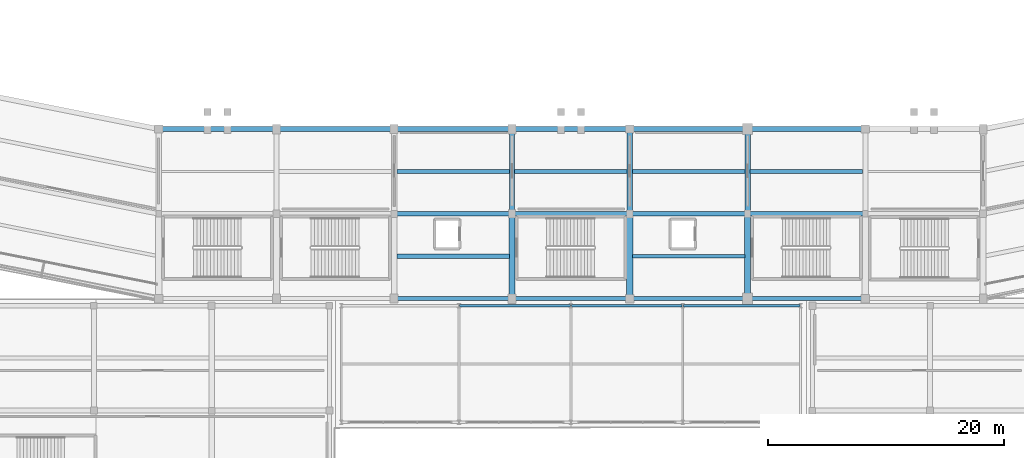
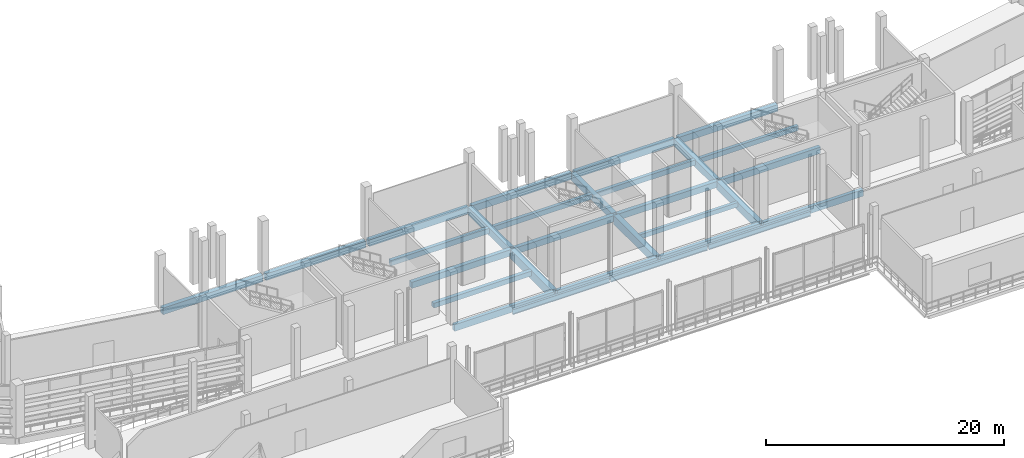
# One storey, part 21 of 111: 29 beams.
"""IFC4 building model written with IfcOpenShell, lengths in metres."""

from ifc_helpers import new_model, si_unit, direction, frame, origin, origin_2d, place, context, subcontext, project, spatial, rectangle, i_section, extrude, material, material_profile, profile_set, type_object, element, save


model = new_model("IFC4")

# Units and contexts
model_context = context("Model", 3, precision=1e-05, world=origin(), true_north=direction((0.0, 1.0)))
body_context = subcontext(model_context, "Body", "Model", "MODEL_VIEW")
ifc_project = project(units=[si_unit("LENGTHUNIT", "METRE"), si_unit("AREAUNIT", "SQUARE_METRE"), si_unit("VOLUMEUNIT", "CUBIC_METRE"), si_unit("PLANEANGLEUNIT", "RADIAN"), si_unit("MASSUNIT", "GRAM", prefix="KILO")], contexts=[model_context])

# Site, building, storey
site_placement = place(None, origin())
site = spatial("IfcSite", under=ifc_project, at=site_placement, CompositionType="ELEMENT")
building_placement = place(site_placement, origin())
building = spatial("IfcBuilding", under=site, at=building_placement, Name="Candeia Ridge Stadium", CompositionType="ELEMENT")
storey_placement = place(building_placement, frame((0.0, 0.0, 16.199951171875)))
storey = spatial("IfcBuildingStorey", under=building, at=storey_placement, Name="L03", CompositionType="ELEMENT", Elevation=16.199951171875)

# Beams
ifc_material_1 = material(Name="Concrete C45/55", Category="concrete")
ifc_material_profile_1 = material_profile(ifc_material_1, rectangle(XDim=0.449951171875, YDim=0.75, at=origin_2d()), Name="RC450x750", Category="concrete")
ifc_profile_set_1 = profile_set([ifc_material_profile_1], Name="Concrete C45/55")
beam_type_1 = type_object("IfcBeamType", Name="Bowl Radial Girder RC450x750", PredefinedType="BEAM", material=ifc_profile_set_1)
beam_1_placement = place(storey_placement, frame((111.0, 33.239990234375, -0.625), z_axis=(0.0, -1.0, 0.0), x_axis=(1.0, 0.0, 0.0)))
element("IfcBeam", 1, at=beam_1_placement, inside=storey, type_object=beam_type_1, Name="Bowl radial girder BM-L03-0525", PredefinedType="BEAM", context=body_context, shape_type="SweptSolid", body=[
    extrude(rectangle(XDim=0.449951171875, YDim=0.75, at=origin_2d()), origin(), (0.0, 0.0, 1.0), 6.8798828125),
])
ifc_material_2 = material(Name="Concrete C40/50", Category="concrete")
ifc_material_profile_2 = material_profile(ifc_material_2, rectangle(XDim=0.280029296875, YDim=0.4599609375, at=origin_2d()), Name="RC280x460", Category="concrete")
ifc_profile_set_2 = profile_set([ifc_material_profile_2], Name="Concrete C40/50")
beam_type_2 = type_object("IfcBeamType", Name="Floor Joist RC280x460", PredefinedType="JOIST", material=ifc_profile_set_2)
beam_2_placement = place(storey_placement, frame((111.221923828125, 22.60009765625, -0.47998046875), z_axis=(1.0, 0.0, 0.0), x_axis=(0.0, 1.0, 0.0)))
element("IfcBeam", 2, at=beam_2_placement, inside=storey, type_object=beam_type_2, Name="Concourse secondary joist BM-L03-0659", PredefinedType="JOIST", context=body_context, shape_type="SweptSolid", body=[
    extrude(rectangle(XDim=0.280029296875, YDim=0.4599609375, at=origin_2d()), origin(), (0.0, 0.0, 1.0), 9.55615234375),
])
ifc_material_profile_3 = material_profile(ifc_material_2, rectangle(XDim=0.31005859375, YDim=0.489990234375, at=origin_2d()), Name="RC310x490", Category="concrete")
ifc_profile_set_3 = profile_set([ifc_material_profile_3], Name="Concrete C40/50")
beam_type_3 = type_object("IfcBeamType", Name="Floor Joist RC310x490", PredefinedType="JOIST", material=ifc_profile_set_3)
beam_3_placement = place(storey_placement, frame((121.221923828125, 29.800048828125, -0.494873046875), z_axis=(1.0, 0.0, 0.0), x_axis=(0.0, 1.0, 0.0)))
element("IfcBeam", 3, at=beam_3_placement, inside=storey, type_object=beam_type_3, Name="Concourse secondary joist BM-L03-0663", PredefinedType="JOIST", context=body_context, shape_type="SweptSolid", body=[
    extrude(rectangle(XDim=0.31005859375, YDim=0.489990234375, at=origin_2d()), origin(), (0.0, 0.0, 1.0), 9.55615234375),
])
ifc_material_profile_4 = material_profile(ifc_material_2, rectangle(XDim=0.320068359375, YDim=0.52001953125, at=origin_2d()), Name="RC320x520", Category="concrete")
ifc_profile_set_4 = profile_set([ifc_material_profile_4], Name="Concrete C40/50")
beam_type_4 = type_object("IfcBeamType", Name="Floor Joist RC320x520", PredefinedType="JOIST", material=ifc_profile_set_4)
beam_4_placement = place(storey_placement, frame((101.221923828125, 29.800048828125, -0.510009765625), z_axis=(1.0, 0.0, 0.0), x_axis=(0.0, 1.0, 0.0)))
element("IfcBeam", 4, at=beam_4_placement, inside=storey, type_object=beam_type_4, Name="Concourse secondary joist BM-L03-0654", PredefinedType="JOIST", context=body_context, shape_type="SweptSolid", body=[
    extrude(rectangle(XDim=0.320068359375, YDim=0.52001953125, at=origin_2d()), origin(), (0.0, 0.0, 1.0), 9.55615234375),
])
ifc_material_profile_5 = material_profile(ifc_material_2, rectangle(XDim=0.330078125, YDim=0.530029296875, at=origin_2d()), Name="RC330x530", Category="concrete")
ifc_profile_set_5 = profile_set([ifc_material_profile_5], Name="Concrete C40/50")
beam_type_5 = type_object("IfcBeamType", Name="Floor Joist RC330x530", PredefinedType="JOIST", material=ifc_profile_set_5)
beam_5_placement = place(storey_placement, frame((111.221923828125, 29.800048828125, -0.514892578125), z_axis=(1.0, 0.0, 0.0), x_axis=(0.0, 1.0, 0.0)))
element("IfcBeam", 5, at=beam_5_placement, inside=storey, type_object=beam_type_5, Name="Concourse secondary joist BM-L03-0658", PredefinedType="JOIST", context=body_context, shape_type="SweptSolid", body=[
    extrude(rectangle(XDim=0.330078125, YDim=0.530029296875, at=origin_2d()), origin(), (0.0, 0.0, 1.0), 9.55615234375),
])
ifc_material_profile_6 = material_profile(ifc_material_2, rectangle(XDim=0.340087890625, YDim=0.5400390625, at=origin_2d()), Name="RC340x540", Category="concrete")
ifc_profile_set_6 = profile_set([ifc_material_profile_6], Name="Concrete C40/50")
beam_type_6 = type_object("IfcBeamType", Name="Floor Joist RC340x540", PredefinedType="JOIST", material=ifc_profile_set_6)
beam_6_placement = place(storey_placement, frame((91.221923828125, 29.800048828125, -0.52001953125), z_axis=(1.0, 0.0, 0.0), x_axis=(0.0, 1.0, 0.0)))
element("IfcBeam", 6, at=beam_6_placement, inside=storey, type_object=beam_type_6, Name="Concourse secondary joist BM-L03-0649", PredefinedType="JOIST", context=body_context, shape_type="SweptSolid", body=[
    extrude(rectangle(XDim=0.340087890625, YDim=0.5400390625, at=origin_2d()), origin(), (0.0, 0.0, 1.0), 9.55615234375),
])
ifc_material_profile_7 = material_profile(ifc_material_2, rectangle(XDim=0.35009765625, YDim=0.5, at=origin_2d()), Name="RC350x500", Category="concrete")
ifc_profile_set_7 = profile_set([ifc_material_profile_7], Name="Concrete C40/50")
beam_type_7 = type_object("IfcBeamType", Name="Floor Joist RC350x500", PredefinedType="JOIST", material=ifc_profile_set_7)
beam_7_placement = place(storey_placement, frame((91.221923828125, 22.60009765625, -0.5), z_axis=(1.0, 0.0, 0.0), x_axis=(0.0, 1.0, 0.0)))
element("IfcBeam", 7, at=beam_7_placement, inside=storey, type_object=beam_type_7, Name="Concourse secondary joist BM-L03-0650", PredefinedType="JOIST", context=body_context, shape_type="SweptSolid", body=[
    extrude(rectangle(XDim=0.35009765625, YDim=0.5, at=origin_2d()), origin(), (0.0, 0.0, 1.0), 9.55615234375),
])
ifc_material_profile_8 = material_profile(ifc_material_2, rectangle(XDim=0.389892578125, YDim=0.639892578125, at=origin_2d()), Name="RC390x640", Category="concrete")
ifc_profile_set_8 = profile_set([ifc_material_profile_8], Name="Concrete C40/50")
beam_type_8 = type_object("IfcBeamType", Name="Frame Girder RC390x640", PredefinedType="BEAM", material=ifc_profile_set_8)
for number, where, z_axis, x_axis, name in (
    (8, (91.159912109375, 26.199951171875, -0.570068359375), (1.0, 0.0, 0.0), (0.0, 1.0, 0.0), "Concourse spine girder BM-L03-0647"),
    (9, (101.159912109375, 26.199951171875, -0.570068359375), (1.0, 0.0, 0.0), (0.0, 1.0, 0.0), "Concourse spine girder BM-L03-0652"),
    (10, (111.159912109375, 26.199951171875, -0.570068359375), (1.0, 0.0, 0.0), (0.0, 1.0, 0.0), "Concourse spine girder BM-L03-0656"),
    (11, (121.159912109375, 26.199951171875, -0.570068359375), (1.0, 0.0, 0.0), (0.0, 1.0, 0.0), "Concourse spine girder BM-L03-0661"),
):
    element("IfcBeam", number, at=place(storey_placement, frame(where, z_axis=z_axis, x_axis=x_axis)), inside=storey, type_object=beam_type_8, Name=name, PredefinedType="BEAM", context=body_context, shape_type="SweptSolid", body=[
        extrude(rectangle(XDim=0.389892578125, YDim=0.639892578125, at=origin_2d()), origin(), (0.0, 0.0, 1.0), 9.68017578125),
    ])
ifc_material_profile_9 = material_profile(ifc_material_2, rectangle(XDim=0.419921875, YDim=0.679931640625, at=origin_2d()), Name="RC420x680", Category="concrete")
ifc_profile_set_9 = profile_set([ifc_material_profile_9], Name="Concrete C40/50")
beam_type_9 = type_object("IfcBeamType", Name="Frame Girder RC420x680", PredefinedType="BEAM", material=ifc_profile_set_9)
for number, where, z_axis, x_axis, name in (
    (12, (71.159912109375, 33.39990234375, -0.58984375), (1.0, 0.0, 0.0), (0.0, 1.0, 0.0), "Bowl inner ring girder BM-L03-0638"),
    (13, (81.159912109375, 33.39990234375, -0.58984375), (1.0, 0.0, 0.0), (0.0, 1.0, 0.0), "Bowl inner ring girder BM-L03-0642"),
    (14, (91.159912109375, 33.39990234375, -0.58984375), (1.0, 0.0, 0.0), (0.0, 1.0, 0.0), "Bowl inner ring girder BM-L03-0646"),
    (15, (101.159912109375, 33.39990234375, -0.58984375), (1.0, 0.0, 0.0), (0.0, 1.0, 0.0), "Bowl inner ring girder BM-L03-0651"),
    (16, (111.159912109375, 33.39990234375, -0.58984375), (1.0, 0.0, 0.0), (0.0, 1.0, 0.0), "Bowl inner ring girder BM-L03-0655"),
    (17, (121.159912109375, 33.39990234375, -0.58984375), (1.0, 0.0, 0.0), (0.0, 1.0, 0.0), "Bowl inner ring girder BM-L03-0660"),
):
    element("IfcBeam", number, at=place(storey_placement, frame(where, z_axis=z_axis, x_axis=x_axis)), inside=storey, type_object=beam_type_9, Name=name, PredefinedType="BEAM", context=body_context, shape_type="SweptSolid", body=[
        extrude(rectangle(XDim=0.419921875, YDim=0.679931640625, at=origin_2d()), origin(), (0.0, 0.0, 1.0), 9.68017578125),
    ])
ifc_material_profile_10 = material_profile(ifc_material_2, rectangle(XDim=0.4599609375, YDim=0.780029296875, at=origin_2d()), Name="RC460x780", Category="concrete")
ifc_profile_set_10 = profile_set([ifc_material_profile_10], Name="Concrete C40/50")
beam_type_10 = type_object("IfcBeamType", Name="Frame Girder RC460x780", PredefinedType="BEAM", material=ifc_profile_set_10)
beam_8_placement = place(storey_placement, frame((101.0, 33.239990234375, -0.639892578125), z_axis=(0.0, -1.0, 0.0), x_axis=(1.0, 0.0, 0.0)))
element("IfcBeam", 18, at=beam_8_placement, inside=storey, type_object=beam_type_10, Name="Bowl radial girder BM-L03-0523", PredefinedType="BEAM", context=body_context, shape_type="SweptSolid", body=[
    extrude(rectangle(XDim=0.4599609375, YDim=0.780029296875, at=origin_2d()), origin(), (0.0, 0.0, 1.0), 6.8798828125),
])
ifc_material_profile_11 = material_profile(ifc_material_2, rectangle(XDim=0.469970703125, YDim=0.760009765625, at=origin_2d()), Name="RC470x760", Category="concrete")
ifc_profile_set_11 = profile_set([ifc_material_profile_11], Name="Concrete C40/50")
beam_type_11 = type_object("IfcBeamType", Name="Frame Girder RC470x760", PredefinedType="BEAM", material=ifc_profile_set_11)
beam_9_placement = place(storey_placement, frame((121.0, 33.239990234375, -0.6298828125), z_axis=(0.0, -1.0, 0.0), x_axis=(1.0, 0.0, 0.0)))
element("IfcBeam", 19, at=beam_9_placement, inside=storey, type_object=beam_type_11, Name="Bowl radial girder BM-L03-0527", PredefinedType="BEAM", context=body_context, shape_type="SweptSolid", body=[
    extrude(rectangle(XDim=0.469970703125, YDim=0.760009765625, at=origin_2d()), origin(), (0.0, 0.0, 1.0), 6.8798828125),
])
ifc_material_profile_12 = material_profile(ifc_material_1, rectangle(XDim=0.5, YDim=0.85009765625, at=origin_2d()), Name="RC500x850", Category="concrete")
ifc_profile_set_12 = profile_set([ifc_material_profile_12], Name="Concrete C45/55")
beam_type_12 = type_object("IfcBeamType", Name="Frame Girder RC500x850", PredefinedType="BEAM", material=ifc_profile_set_12)
beam_10_placement = place(storey_placement, frame((121.0, 26.0400390625, -0.675048828125), z_axis=(0.0, -1.0, 0.0), x_axis=(1.0, 0.0, 0.0)))
element("IfcBeam", 20, at=beam_10_placement, inside=storey, type_object=beam_type_12, Name="Bowl radial girder BM-L03-0528", PredefinedType="BEAM", context=body_context, shape_type="SweptSolid", body=[
    extrude(rectangle(XDim=0.5, YDim=0.85009765625, at=origin_2d()), origin(), (0.0, 0.0, 1.0), 6.880126953125),
])
ifc_material_profile_13 = material_profile(ifc_material_1, rectangle(XDim=0.52001953125, YDim=0.8798828125, at=origin_2d()), Name="RC520x880", Category="concrete")
ifc_profile_set_13 = profile_set([ifc_material_profile_13], Name="Concrete C45/55")
beam_type_13 = type_object("IfcBeamType", Name="Frame Girder RC520x880", PredefinedType="BEAM", material=ifc_profile_set_13)
beam_11_placement = place(storey_placement, frame((111.0, 26.0400390625, -0.68994140625), z_axis=(0.0, -1.0, 0.0), x_axis=(1.0, 0.0, 0.0)))
element("IfcBeam", 21, at=beam_11_placement, inside=storey, type_object=beam_type_13, Name="Bowl radial girder BM-L03-0526", PredefinedType="BEAM", context=body_context, shape_type="SweptSolid", body=[
    extrude(rectangle(XDim=0.52001953125, YDim=0.8798828125, at=origin_2d()), origin(), (0.0, 0.0, 1.0), 6.880126953125),
])
ifc_material_profile_14 = material_profile(ifc_material_1, rectangle(XDim=0.550048828125, YDim=0.919921875, at=origin_2d()), Name="RC550x920", Category="concrete")
ifc_profile_set_14 = profile_set([ifc_material_profile_14], Name="Concrete C45/55")
beam_type_14 = type_object("IfcBeamType", Name="Frame Girder RC550x920", PredefinedType="BEAM", material=ifc_profile_set_14)
beam_12_placement = place(storey_placement, frame((101.0, 26.0400390625, -0.7099609375), z_axis=(0.0, -1.0, 0.0), x_axis=(1.0, 0.0, 0.0)))
element("IfcBeam", 22, at=beam_12_placement, inside=storey, type_object=beam_type_14, Name="Bowl radial girder BM-L03-0524", PredefinedType="BEAM", context=body_context, shape_type="SweptSolid", body=[
    extrude(rectangle(XDim=0.550048828125, YDim=0.919921875, at=origin_2d()), origin(), (0.0, 0.0, 1.0), 6.880126953125),
])
ifc_material_3 = material(Name="Steel ASTM A572 Grade 50", Category="steel")
ifc_material_profile_15 = material_profile(ifc_material_3, i_section(OverallWidth=0.208984375, OverallDepth=0.532958984375, WebThickness=0.01025390625, FlangeThickness=0.015625, FilletRadius=0.013916015625, at=origin_2d()), Name="W530x92", Category="steel")
ifc_profile_set_15 = profile_set([ifc_material_profile_15], Name="Steel ASTM A572 Grade 50")
beam_type_15 = type_object("IfcBeamType", Name="Gate Portal Girder W530x92", PredefinedType="BEAM", material=ifc_profile_set_15)
for number, where, z_axis, x_axis, name in (
    (23, (96.550048828125, 18.39990234375, -0.516357421875), (1.0, 0.0, 0.0), (0.0, 1.0, 0.0), "Structural girder BM-L03-2368"),
    (24, (106.050048828125, 18.39990234375, -0.516357421875), (1.0, 0.0, 0.0), (0.0, 1.0, 0.0), "Structural girder BM-L03-2371"),
):
    element("IfcBeam", number, at=place(storey_placement, frame(where, z_axis=z_axis, x_axis=x_axis)), inside=storey, type_object=beam_type_15, Name=name, PredefinedType="BEAM", context=body_context, shape_type="SweptSolid", body=[
        extrude(i_section(OverallWidth=0.208984375, OverallDepth=0.532958984375, WebThickness=0.01025390625, FlangeThickness=0.015625, FilletRadius=0.013916015625, at=origin_2d()), origin(), (0.0, 0.0, 1.0), 9.39990234375),
    ])
beam_13_placement = place(storey_placement, frame((115.550048828125, 18.39990234375, -0.516357421875), z_axis=(1.0, 0.0, 0.0), x_axis=(0.0, 1.0, 0.0)))
element("IfcBeam", 25, at=beam_13_placement, inside=storey, type_object=beam_type_15, Name="Structural girder BM-L03-2374", PredefinedType="BEAM", context=body_context, shape_type="SweptSolid", body=[
    extrude(i_section(OverallWidth=0.208984375, OverallDepth=0.532958984375, WebThickness=0.01025390625, FlangeThickness=0.015625, FilletRadius=0.013916015625, at=origin_2d()), origin(), (0.0, 0.0, 1.0), 9.89990234375),
])
ifc_material_profile_16 = material_profile(ifc_material_2, rectangle(XDim=0.340087890625, YDim=0.679931640625, at=origin_2d()), Name="RC340x680", Category="concrete")
ifc_profile_set_16 = profile_set([ifc_material_profile_16], Name="Concrete C40/50")
beam_type_16 = type_object("IfcBeamType", Name="Spandrel Beam RC340x680", PredefinedType="SPANDREL", material=ifc_profile_set_16)
for number, where, z_axis, x_axis, name in (
    (26, (91.159912109375, 19.0, -0.58984375), (1.0, 0.0, 0.0), (0.0, 1.0, 0.0), "Bowl perimeter spandrel BM-L03-0648"),
    (27, (101.159912109375, 19.0, -0.58984375), (1.0, 0.0, 0.0), (0.0, 1.0, 0.0), "Bowl perimeter spandrel BM-L03-0653"),
    (28, (111.159912109375, 19.0, -0.58984375), (1.0, 0.0, 0.0), (0.0, 1.0, 0.0), "Bowl perimeter spandrel BM-L03-0657"),
    (29, (121.159912109375, 19.0, -0.58984375), (1.0, 0.0, 0.0), (0.0, 1.0, 0.0), "Bowl perimeter spandrel BM-L03-0662"),
):
    element("IfcBeam", number, at=place(storey_placement, frame(where, z_axis=z_axis, x_axis=x_axis)), inside=storey, type_object=beam_type_16, Name=name, PredefinedType="SPANDREL", context=body_context, shape_type="SweptSolid", body=[
        extrude(rectangle(XDim=0.340087890625, YDim=0.679931640625, at=origin_2d()), origin(), (0.0, 0.0, 1.0), 9.68017578125),
    ])

save(model, "model.ifc")
